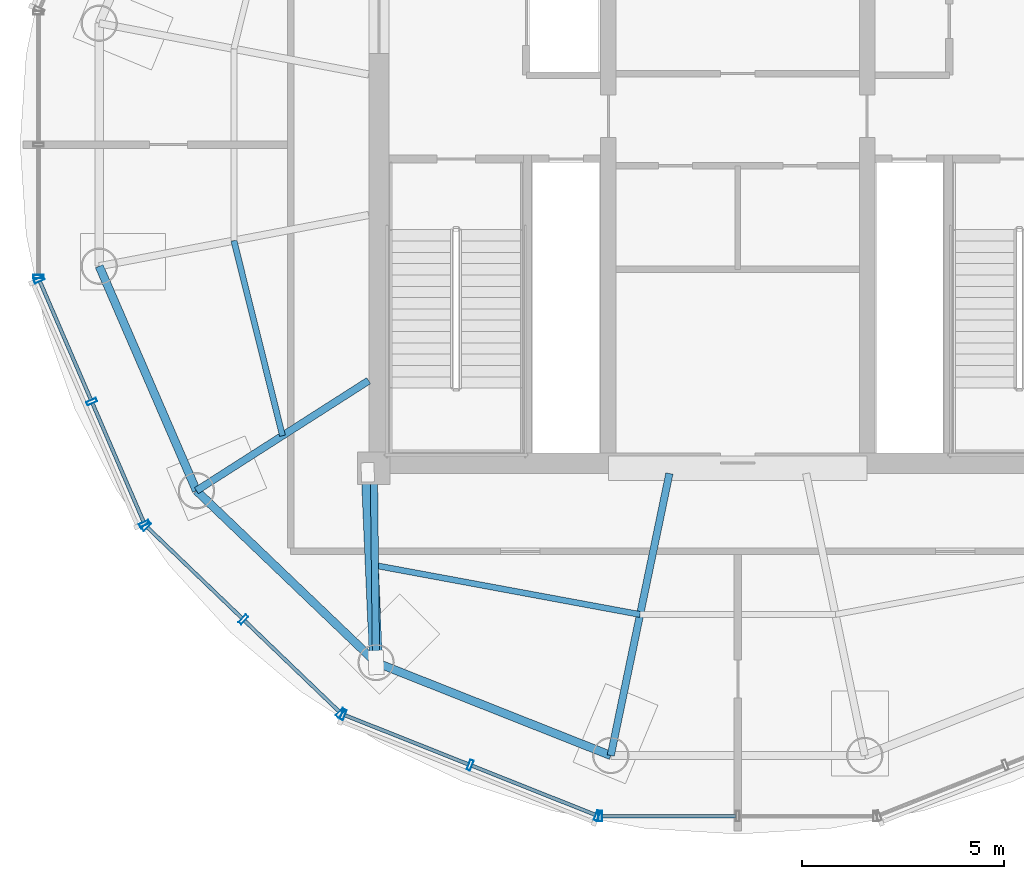
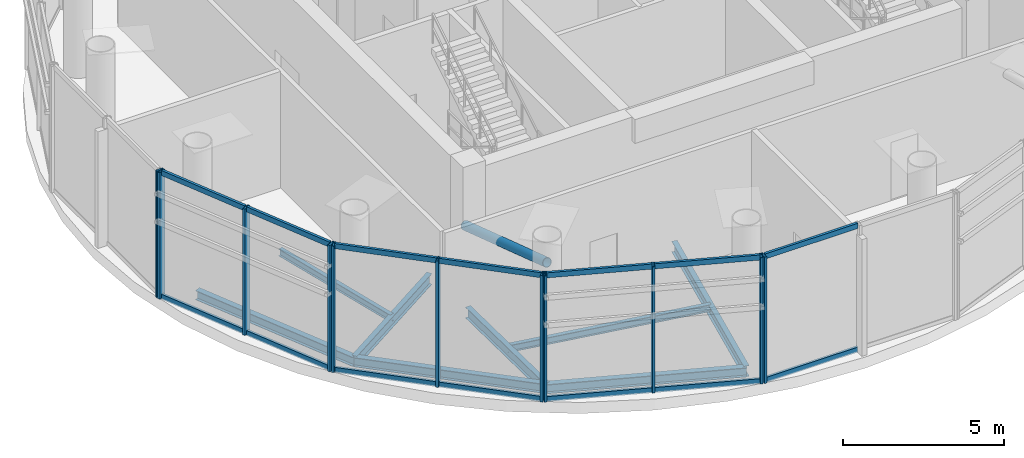
# One storey, part 2 of 15: 26 members, 8 beams, 5 elements without a shape of their own.
"""IFC4 building model written with IfcOpenShell, lengths in metres."""

from ifc_helpers import new_model, si_unit, direction, frame, origin, origin_2d, place, context, subcontext, project, spatial, hollow_rectangle, hollow_circle, i_section, extrude, source, transform, mapped, material, material_profile, profile_set, type_object, element, aggregate, save


model = new_model("IFC4")

# Units and contexts
model_context = context("Model", 3, precision=1e-05, world=origin(), true_north=direction((-0.2419218956, 0.970295726276)))
body_context = subcontext(model_context, "Body", "Model", "MODEL_VIEW")
ifc_project = project(units=[si_unit("LENGTHUNIT", "METRE"), si_unit("AREAUNIT", "SQUARE_METRE"), si_unit("VOLUMEUNIT", "CUBIC_METRE"), si_unit("PLANEANGLEUNIT", "RADIAN"), si_unit("MASSUNIT", "GRAM", prefix="KILO")], contexts=[model_context])

# Site, building, storey
site_placement = place(None, origin())
site = spatial("IfcSite", under=ifc_project, at=site_placement, CompositionType="ELEMENT")
building_placement = place(site_placement, origin())
building = spatial("IfcBuilding", under=site, at=building_placement, Name="Cobrevalo Terracotta Tower", CompositionType="ELEMENT")
storey_placement = place(building_placement, frame((0.0, 0.0, 316.5)))
storey = spatial("IfcBuildingStorey", under=building, at=storey_placement, Name="L82", CompositionType="ELEMENT", Elevation=316.5)

# Beams
ifc_material_1 = material(Name="Steel S355", Category="steel")
ifc_material_profile_1 = material_profile(ifc_material_1, i_section(OverallWidth=0.179931640625, OverallDepth=0.4130859375, WebThickness=0.009765625, FlangeThickness=0.01611328125, at=origin_2d()), Name="W 410x75")
ifc_profile_set_1 = profile_set([ifc_material_profile_1], Name="Steel S355")
beam_type_1 = type_object("IfcBeamType", Name="Structural Beam W 410x75 (Steel S355)", PredefinedType="BEAM", material=ifc_profile_set_1)
beam_1_placement = place(storey_placement, frame((24.61328125, 18.244140625, -0.62646484375), z_axis=(0.84260123768, 0.538537978476, 0.0), x_axis=(-0.538537978476, 0.84260123768, 0.0)))
element("IfcBeam", 1, at=beam_1_placement, inside=storey, type_object=beam_type_1, Name="L82 radial floor girder 10", PredefinedType="BEAM", context=body_context, shape_type="SweptSolid", body=[
    extrude(i_section(OverallWidth=0.179931640625, OverallDepth=0.4130859375, WebThickness=0.009765625, FlangeThickness=0.01611328125, at=origin_2d()), origin(), (0.0, 0.0, 1.0), 5.052001953125),
])
beam_2_placement = place(storey_placement, frame((29.055419921875, 13.995361328125, -0.62646484375), z_axis=(-0.01153378561, 0.999933483683, 0.0), x_axis=(-0.999933483683, -0.01153378561, 0.0)))
element("IfcBeam", 2, at=beam_2_placement, inside=storey, type_object=beam_type_1, Name="L82 radial floor girder 11", PredefinedType="BEAM", context=body_context, shape_type="SweptSolid", body=[
    extrude(i_section(OverallWidth=0.179931640625, OverallDepth=0.4130859375, WebThickness=0.009765625, FlangeThickness=0.01611328125, at=origin_2d()), origin(), (0.0, 0.0, 1.0), 4.804931640625),
])
beam_3_placement = place(storey_placement, frame((34.859130859375, 11.69580078125, -0.62646484375), z_axis=(0.203584701476, 0.979057337098, 0.0), x_axis=(-0.979057337098, 0.203584701476, 0.0)))
element("IfcBeam", 3, at=beam_3_placement, inside=storey, type_object=beam_type_1, Name="L82 radial floor girder 12", PredefinedType="BEAM", context=body_context, shape_type="SweptSolid", body=[
    extrude(i_section(OverallWidth=0.179931640625, OverallDepth=0.4130859375, WebThickness=0.009765625, FlangeThickness=0.01611328125, at=origin_2d()), origin(), (0.0, 0.0, 1.0), 7.123291015625),
])
ifc_material_profile_2 = material_profile(ifc_material_1, i_section(OverallWidth=0.14794921875, OverallDepth=0.26611328125, WebThickness=0.007568359375, FlangeThickness=0.012939453125, at=origin_2d()), Name="W 250x44.8")
ifc_profile_set_2 = profile_set([ifc_material_profile_2], Name="Steel S355")
beam_type_2 = type_object("IfcBeamType", Name="Structural Joist W 250x44.8 (Steel S355)", PredefinedType="JOIST", material=ifc_profile_set_2)
beam_4_placement = place(storey_placement, frame((25.539794921875, 24.42919921875, -0.552978515625), z_axis=(0.241726809757, -0.97034434581, 0.0), x_axis=(0.97034434581, 0.241726809757, 0.0)))
element("IfcBeam", 4, at=beam_4_placement, inside=storey, type_object=beam_type_2, Name="L82 circumferential secondary floor joist 09", PredefinedType="JOIST", context=body_context, shape_type="SweptSolid", body=[
    extrude(i_section(OverallWidth=0.14794921875, OverallDepth=0.26611328125, WebThickness=0.007568359375, FlangeThickness=0.012939453125, at=origin_2d()), origin(), (0.0, 0.0, 1.0), 4.97216796875),
])
beam_5_placement = place(storey_placement, frame((29.027587890625, 16.397705078125, -0.552978515625), z_axis=(0.983264519698, -0.182183655422, 0.0), x_axis=(0.182183655422, 0.983264519698, 0.0)))
element("IfcBeam", 5, at=beam_5_placement, inside=storey, type_object=beam_type_2, Name="L82 circumferential secondary floor joist 11", PredefinedType="JOIST", context=body_context, shape_type="SweptSolid", body=[
    extrude(i_section(OverallWidth=0.14794921875, OverallDepth=0.26611328125, WebThickness=0.007568359375, FlangeThickness=0.012939453125, at=origin_2d()), origin(), (0.0, 0.0, 1.0), 6.668212890625),
])
ifc_material_profile_3 = material_profile(ifc_material_1, i_section(OverallWidth=0.205078125, OverallDepth=0.35400390625, WebThickness=0.009521484375, FlangeThickness=0.016845703125, at=origin_2d()), Name="W 360x79")
ifc_profile_set_3 = profile_set([ifc_material_profile_3], Name="Steel S355")
beam_type_3 = type_object("IfcBeamType", Name="Structural Spandrel W 360x79 (Steel S355)", PredefinedType="SPANDREL", material=ifc_profile_set_3)
beam_6_placement = place(storey_placement, frame((22.20947265625, 23.795654296875, -0.596923828125), z_axis=(0.397350333227, -0.91766699444, 0.0), x_axis=(0.91766699444, 0.397350333227, 0.0)))
element("IfcBeam", 6, at=beam_6_placement, inside=storey, type_object=beam_type_3, Name="L82 perimeter ring spandrel 09", PredefinedType="SPANDREL", context=body_context, shape_type="SweptSolid", body=[
    extrude(i_section(OverallWidth=0.205078125, OverallDepth=0.35400390625, WebThickness=0.009521484375, FlangeThickness=0.016845703125, at=origin_2d()), origin(), (0.0, 0.0, 1.0), 6.049560546875),
])
beam_7_placement = place(storey_placement, frame((24.61328125, 18.244140625, -0.596923828125), z_axis=(0.722659970904, -0.691203708362, 0.0), x_axis=(0.691203708362, 0.722659970904, 0.0)))
element("IfcBeam", 7, at=beam_7_placement, inside=storey, type_object=beam_type_3, Name="L82 perimeter ring spandrel 10", PredefinedType="SPANDREL", context=body_context, shape_type="SweptSolid", body=[
    extrude(i_section(OverallWidth=0.205078125, OverallDepth=0.35400390625, WebThickness=0.009521484375, FlangeThickness=0.016845703125, at=origin_2d()), origin(), (0.0, 0.0, 1.0), 6.14697265625),
])
beam_8_placement = place(storey_placement, frame((29.055419921875, 13.995361328125, -0.596923828125), z_axis=(0.929682763959, -0.368361179275, 0.0), x_axis=(0.368361179275, 0.929682763959, 0.0)))
element("IfcBeam", 8, at=beam_8_placement, inside=storey, type_object=beam_type_3, Name="L82 perimeter ring spandrel 11", PredefinedType="SPANDREL", context=body_context, shape_type="SweptSolid", body=[
    extrude(i_section(OverallWidth=0.205078125, OverallDepth=0.35400390625, WebThickness=0.009521484375, FlangeThickness=0.016845703125, at=origin_2d()), origin(), (0.0, 0.0, 1.0), 6.24267578125),
])

# Member
ifc_material_profile_4 = material_profile(ifc_material_1, hollow_circle(Radius=0.162109375, WallThickness=0.013916015625, at=origin_2d()), Name="CHS 324x14")
ifc_profile_set_4 = profile_set([ifc_material_profile_4], Name="Steel S355")
member_type_1 = type_object("IfcMemberType", Name="Steel Brace CHS 324x14 (Steel S355)", PredefinedType="BRACE", material=ifc_profile_set_4)
shared_shape_1 = source(origin(), body_context, "Body", "SweptSolid", [
    extrude(hollow_circle(Radius=0.162109375, WallThickness=0.013916015625, at=origin_2d()), origin(), (0.0, 0.0, 1.0), 4.906982421875),
])
member_1_placement = place(storey_placement, frame((28.85009765625, 18.699951171875, 2.75), z_axis=(0.041842075868, -0.958735793071, 0.281202631159), x_axis=(0.999049003969, 0.043601464055, 0.0)))
element("IfcMember", 9, at=member_1_placement, inside=storey, type_object=member_type_1, Name="L82 CROWN FRAME radial brace 03", PredefinedType="BRACE", context=body_context, shape_type="MappedRepresentation", body=[
    mapped(shared_shape_1, transform((0.0, 0.0, 0.0), scale=1.0)),
])

# Curtain wall, members
ifc_material_2 = material(Name="Anodized aluminium", Category="aluminium")
curtain_wall_type = type_object("IfcCurtainWallType", Name="Faceted glass-point crown structural glazing system CW-CR", PredefinedType="NOTDEFINED", material=ifc_material_2)
curtain_wall_1_placement = place(storey_placement, origin())
curtain_wall_1 = element("IfcCurtainWall", 10, at=curtain_wall_1_placement, inside=storey, type_object=curtain_wall_type, Name="L82 curtain wall CW-CRN-L82-S09", PredefinedType="NOTDEFINED")
ifc_material_profile_5 = material_profile(ifc_material_2, hollow_rectangle(XDim=0.090087890625, YDim=0.195068359375, WallThickness=0.005615234375, at=origin_2d()), Name="CWT 90x195")
ifc_profile_set_5 = profile_set([ifc_material_profile_5], Name="Anodized aluminium")
member_type_2 = type_object("IfcMemberType", Name="Crown structural aluminium transom 90x195", PredefinedType="USERDEFINED", material=ifc_profile_set_5)
shared_shape_2 = source(origin(), body_context, "Body", "SweptSolid", [
    extrude(hollow_rectangle(XDim=0.090087890625, YDim=0.195068359375, WallThickness=0.005615234375, at=origin_2d()), origin(), (0.0, 0.0, 1.0), 3.203125),
])
member_2_placement = place(storey_placement, frame((20.740478515625, 23.423583984375, 0.050048828125), z_axis=(0.396043228921, -0.918231866592, 0.0), x_axis=(0.918231866592, 0.396043228921, 0.0)))
member_2 = element("IfcMember", 11, at=member_2_placement, type_object=member_type_2, Name="CW-CRN-L82-S09 transom B01-T1", ObjectType="TRANSOM", PredefinedType="USERDEFINED", context=body_context, shape_type="MappedRepresentation", body=[
    mapped(shared_shape_2, transform((0.0, 0.0, 0.0), scale=1.0)),
])
member_3_placement = place(storey_placement, frame((20.740478515625, 23.423583984375, 4.72998046875), z_axis=(0.396043228921, -0.918231866592, 0.0), x_axis=(0.918231866592, 0.396043228921, 0.0)))
member_3 = element("IfcMember", 12, at=member_3_placement, type_object=member_type_2, Name="CW-CRN-L82-S09 transom B01-T2", ObjectType="TRANSOM", PredefinedType="USERDEFINED", context=body_context, shape_type="MappedRepresentation", body=[
    mapped(shared_shape_2, transform((0.0, 0.0, 0.0), scale=1.0)),
])
member_4_placement = place(storey_placement, frame((22.040771484375, 20.408935546875, 0.050048828125), z_axis=(0.396107491553, -0.918204146765, 0.0), x_axis=(0.918204146765, 0.396107491553, 0.0)))
member_4 = element("IfcMember", 13, at=member_4_placement, type_object=member_type_2, Name="CW-CRN-L82-S09 transom B02-T1", ObjectType="TRANSOM", PredefinedType="USERDEFINED", context=body_context, shape_type="MappedRepresentation", body=[
    mapped(shared_shape_2, transform((0.0, 0.0, 0.0), scale=1.0)),
])
member_5_placement = place(storey_placement, frame((22.040771484375, 20.408935546875, 4.72998046875), z_axis=(0.396107491553, -0.918204146765, 0.0), x_axis=(0.918204146765, 0.396107491553, 0.0)))
member_5 = element("IfcMember", 14, at=member_5_placement, type_object=member_type_2, Name="CW-CRN-L82-S09 transom B02-T2", ObjectType="TRANSOM", PredefinedType="USERDEFINED", context=body_context, shape_type="MappedRepresentation", body=[
    mapped(shared_shape_2, transform((0.0, 0.0, 0.0), scale=1.0)),
])

curtain_wall_2_placement = place(storey_placement, origin())
curtain_wall_2 = element("IfcCurtainWall", 15, at=curtain_wall_2_placement, inside=storey, type_object=curtain_wall_type, Name="L82 curtain wall CW-CRN-L82-S10", PredefinedType="NOTDEFINED")
shared_shape_3 = source(origin(), body_context, "Body", "SweptSolid", [
    extrude(hollow_rectangle(XDim=0.090087890625, YDim=0.195068359375, WallThickness=0.005615234375, at=origin_2d()), origin(), (0.0, 0.0, 1.0), 3.251953125),
])
member_6_placement = place(storey_placement, frame((23.39892578125, 17.3388671875, 0.050048828125), z_axis=(0.721264285966, -0.692659966932, 0.0), x_axis=(0.692659966932, 0.721264285966, 0.0)))
member_6 = element("IfcMember", 16, at=member_6_placement, type_object=member_type_2, Name="CW-CRN-L82-S10 transom B01-T1", ObjectType="TRANSOM", PredefinedType="USERDEFINED", context=body_context, shape_type="MappedRepresentation", body=[
    mapped(shared_shape_3, transform((0.0, 0.0, 0.0), scale=1.0)),
])
member_7_placement = place(storey_placement, frame((23.39892578125, 17.3388671875, 4.72998046875), z_axis=(0.721264285966, -0.692659966932, 0.0), x_axis=(0.692659966932, 0.721264285966, 0.0)))
member_7 = element("IfcMember", 17, at=member_7_placement, type_object=member_type_2, Name="CW-CRN-L82-S10 transom B01-T2", ObjectType="TRANSOM", PredefinedType="USERDEFINED", context=body_context, shape_type="MappedRepresentation", body=[
    mapped(shared_shape_3, transform((0.0, 0.0, 0.0), scale=1.0)),
])
member_8_placement = place(storey_placement, frame((25.802001953125, 15.031005859375, 0.050048828125), z_axis=(0.721300303297, -0.692622460265, 0.0), x_axis=(0.692622460265, 0.721300303297, 0.0)))
member_8 = element("IfcMember", 18, at=member_8_placement, type_object=member_type_2, Name="CW-CRN-L82-S10 transom B02-T1", ObjectType="TRANSOM", PredefinedType="USERDEFINED", context=body_context, shape_type="MappedRepresentation", body=[
    mapped(shared_shape_3, transform((0.0, 0.0, 0.0), scale=1.0)),
])
member_9_placement = place(storey_placement, frame((25.802001953125, 15.031005859375, 4.72998046875), z_axis=(0.721300303297, -0.692622460265, 0.0), x_axis=(0.692622460265, 0.721300303297, 0.0)))
member_9 = element("IfcMember", 19, at=member_9_placement, type_object=member_type_2, Name="CW-CRN-L82-S10 transom B02-T2", ObjectType="TRANSOM", PredefinedType="USERDEFINED", context=body_context, shape_type="MappedRepresentation", body=[
    mapped(shared_shape_3, transform((0.0, 0.0, 0.0), scale=1.0)),
])

curtain_wall_3_placement = place(storey_placement, origin())
curtain_wall_3 = element("IfcCurtainWall", 20, at=curtain_wall_3_placement, inside=storey, type_object=curtain_wall_type, Name="L82 curtain wall CW-CRN-L82-S11", PredefinedType="NOTDEFINED")
shared_shape_4 = source(origin(), body_context, "Body", "SweptSolid", [
    extrude(hollow_rectangle(XDim=0.090087890625, YDim=0.195068359375, WallThickness=0.005615234375, at=origin_2d()), origin(), (0.0, 0.0, 1.0), 3.2998046875),
])
member_10_placement = place(storey_placement, frame((28.279541015625, 12.693603515625, 0.050048828125), z_axis=(0.929204565262, -0.369565793732, 0.0), x_axis=(0.369565793732, 0.929204565262, 0.0)))
member_10 = element("IfcMember", 21, at=member_10_placement, type_object=member_type_2, Name="CW-CRN-L82-S11 transom B01-T1", ObjectType="TRANSOM", PredefinedType="USERDEFINED", context=body_context, shape_type="MappedRepresentation", body=[
    mapped(shared_shape_4, transform((0.0, 0.0, 0.0), scale=1.0)),
])
member_11_placement = place(storey_placement, frame((28.279541015625, 12.693603515625, 4.72998046875), z_axis=(0.929204565262, -0.369565793732, 0.0), x_axis=(0.369565793732, 0.929204565262, 0.0)))
member_11 = element("IfcMember", 22, at=member_11_placement, type_object=member_type_2, Name="CW-CRN-L82-S11 transom B01-T2", ObjectType="TRANSOM", PredefinedType="USERDEFINED", context=body_context, shape_type="MappedRepresentation", body=[
    mapped(shared_shape_4, transform((0.0, 0.0, 0.0), scale=1.0)),
])
member_12_placement = place(storey_placement, frame((31.420166015625, 11.444580078125, 0.050048828125), z_axis=(0.92917915641, -0.369629673177, 0.0), x_axis=(0.369629673177, 0.92917915641, 0.0)))
member_12 = element("IfcMember", 23, at=member_12_placement, type_object=member_type_2, Name="CW-CRN-L82-S11 transom B02-T1", ObjectType="TRANSOM", PredefinedType="USERDEFINED", context=body_context, shape_type="MappedRepresentation", body=[
    mapped(shared_shape_4, transform((0.0, 0.0, 0.0), scale=1.0)),
])
member_13_placement = place(storey_placement, frame((31.420166015625, 11.444580078125, 4.72998046875), z_axis=(0.92917915641, -0.369629673177, 0.0), x_axis=(0.369629673177, 0.92917915641, 0.0)))
member_13 = element("IfcMember", 24, at=member_13_placement, type_object=member_type_2, Name="CW-CRN-L82-S11 transom B02-T2", ObjectType="TRANSOM", PredefinedType="USERDEFINED", context=body_context, shape_type="MappedRepresentation", body=[
    mapped(shared_shape_4, transform((0.0, 0.0, 0.0), scale=1.0)),
])

curtain_wall_4_placement = place(storey_placement, origin())
curtain_wall_4 = element("IfcCurtainWall", 25, at=curtain_wall_4_placement, inside=storey, type_object=curtain_wall_type, Name="L82 curtain wall CW-CRN-L82-S12", PredefinedType="NOTDEFINED")
shared_shape_5 = source(origin(), body_context, "Body", "SweptSolid", [
    extrude(hollow_rectangle(XDim=0.090087890625, YDim=0.195068359375, WallThickness=0.005615234375, at=origin_2d()), origin(), (0.0, 0.0, 1.0), 3.3193359375),
])
member_14_placement = place(storey_placement, frame((34.640625, 10.1953125, 0.050048828125), z_axis=(1.0, 0.0, 0.0), x_axis=(0.0, 1.0, 0.0)))
member_14 = element("IfcMember", 26, at=member_14_placement, type_object=member_type_2, Name="CW-CRN-L82-S12 transom B01-T1", ObjectType="TRANSOM", PredefinedType="USERDEFINED", context=body_context, shape_type="MappedRepresentation", body=[
    mapped(shared_shape_5, transform((0.0, 0.0, 0.0), scale=1.0)),
])
member_15_placement = place(storey_placement, frame((34.640625, 10.1953125, 4.72998046875), z_axis=(1.0, 0.0, 0.0), x_axis=(0.0, 1.0, 0.0)))
member_15 = element("IfcMember", 27, at=member_15_placement, type_object=member_type_2, Name="CW-CRN-L82-S12 transom B01-T2", ObjectType="TRANSOM", PredefinedType="USERDEFINED", context=body_context, shape_type="MappedRepresentation", body=[
    mapped(shared_shape_5, transform((0.0, 0.0, 0.0), scale=1.0)),
])

# Curtain wall, member
curtain_wall_5_placement = place(storey_placement, origin())
curtain_wall_5 = element("IfcCurtainWall", 28, at=curtain_wall_5_placement, inside=storey, type_object=curtain_wall_type, Name="L82 curtain wall CW-CRN-L82-S08", PredefinedType="NOTDEFINED")
ifc_material_profile_6 = material_profile(ifc_material_2, hollow_rectangle(XDim=0.090087890625, YDim=0.260009765625, WallThickness=0.006103515625, at=origin_2d()), Name="CWM 90x260")
ifc_profile_set_6 = profile_set([ifc_material_profile_6], Name="Anodized aluminium")
member_type_3 = type_object("IfcMemberType", Name="Crown structural glass mullion 90x260", PredefinedType="MULLION", material=ifc_profile_set_6)
shared_shape_6 = source(origin(), body_context, "Body", "SweptSolid", [
    extrude(hollow_rectangle(XDim=0.090087890625, YDim=0.260009765625, WallThickness=0.006103515625, at=origin_2d()), origin(), (0.0, 0.0, 1.0), 4.780029296875),
])
member_16_placement = place(storey_placement, frame((20.708740234375, 23.537109375, 0.0), z_axis=(0.0, 0.0, 1.0), x_axis=(0.0, -1.0, 0.0)))
member_16 = element("IfcMember", 29, at=member_16_placement, type_object=member_type_3, Name="CW-CRN-L82-S08 vertical mullion 03", PredefinedType="MULLION", context=body_context, shape_type="MappedRepresentation", body=[
    mapped(shared_shape_6, transform((0.0, 0.0, 0.0), scale=1.0)),
])
aggregate(curtain_wall_5, [member_16])

# Member
member_17_placement = place(storey_placement, frame((20.724609375, 23.46044921875, 0.0), z_axis=(0.0, 0.0, 1.0), x_axis=(0.396058398073, -0.918225323826, 0.0)))
member_17 = element("IfcMember", 30, at=member_17_placement, type_object=member_type_3, Name="CW-CRN-L82-S09 vertical mullion 01", PredefinedType="MULLION", context=body_context, shape_type="MappedRepresentation", body=[
    mapped(shared_shape_6, transform((0.0, 0.0, 0.0), scale=1.0)),
])

member_18_placement = place(storey_placement, frame((22.02490234375, 20.445556640625, 0.0), z_axis=(0.0, 0.0, 1.0), x_axis=(0.396058398073, -0.918225323826, 0.0)))
member_18 = element("IfcMember", 31, at=member_18_placement, type_object=member_type_3, Name="CW-CRN-L82-S09 vertical mullion 02", PredefinedType="MULLION", context=body_context, shape_type="MappedRepresentation", body=[
    mapped(shared_shape_6, transform((0.0, 0.0, 0.0), scale=1.0)),
])

member_19_placement = place(storey_placement, frame((23.325439453125, 17.430908203125, 0.0), z_axis=(0.0, 0.0, 1.0), x_axis=(0.396058398073, -0.918225323826, 0.0)))
member_19 = element("IfcMember", 32, at=member_19_placement, type_object=member_type_3, Name="CW-CRN-L82-S09 vertical mullion 03", PredefinedType="MULLION", context=body_context, shape_type="MappedRepresentation", body=[
    mapped(shared_shape_6, transform((0.0, 0.0, 0.0), scale=1.0)),
])

aggregate(curtain_wall_1, [member_17, member_18, member_19, member_2, member_3, member_4, member_5])

member_20_placement = place(storey_placement, frame((23.3701171875, 17.366455078125, 0.0), z_axis=(0.0, 0.0, 1.0), x_axis=(0.721276845158, -0.692646888854, 0.0)))
member_20 = element("IfcMember", 33, at=member_20_placement, type_object=member_type_3, Name="CW-CRN-L82-S10 vertical mullion 01", PredefinedType="MULLION", context=body_context, shape_type="MappedRepresentation", body=[
    mapped(shared_shape_6, transform((0.0, 0.0, 0.0), scale=1.0)),
])

member_21_placement = place(storey_placement, frame((25.773193359375, 15.05859375, 0.0), z_axis=(0.0, 0.0, 1.0), x_axis=(0.721276845158, -0.692646888854, 0.0)))
member_21 = element("IfcMember", 34, at=member_21_placement, type_object=member_type_3, Name="CW-CRN-L82-S10 vertical mullion 02", PredefinedType="MULLION", context=body_context, shape_type="MappedRepresentation", body=[
    mapped(shared_shape_6, transform((0.0, 0.0, 0.0), scale=1.0)),
])

member_22_placement = place(storey_placement, frame((28.176513671875, 12.7509765625, 0.0), z_axis=(0.0, 0.0, 1.0), x_axis=(0.721276845158, -0.692646888854, 0.0)))
member_22 = element("IfcMember", 35, at=member_22_placement, type_object=member_type_3, Name="CW-CRN-L82-S10 vertical mullion 03", PredefinedType="MULLION", context=body_context, shape_type="MappedRepresentation", body=[
    mapped(shared_shape_6, transform((0.0, 0.0, 0.0), scale=1.0)),
])

aggregate(curtain_wall_2, [member_20, member_21, member_22, member_6, member_7, member_8, member_9])

member_23_placement = place(storey_placement, frame((28.242431640625, 12.70849609375, 0.0), z_axis=(0.0, 0.0, 1.0), x_axis=(0.929190639756, -0.36960080491, 0.0)))
member_23 = element("IfcMember", 36, at=member_23_placement, type_object=member_type_3, Name="CW-CRN-L82-S11 vertical mullion 01", PredefinedType="MULLION", context=body_context, shape_type="MappedRepresentation", body=[
    mapped(shared_shape_6, transform((0.0, 0.0, 0.0), scale=1.0)),
])

member_24_placement = place(storey_placement, frame((31.3828125, 11.459228515625, 0.0), z_axis=(0.0, 0.0, 1.0), x_axis=(0.929190639756, -0.36960080491, 0.0)))
member_24 = element("IfcMember", 37, at=member_24_placement, type_object=member_type_3, Name="CW-CRN-L82-S11 vertical mullion 02", PredefinedType="MULLION", context=body_context, shape_type="MappedRepresentation", body=[
    mapped(shared_shape_6, transform((0.0, 0.0, 0.0), scale=1.0)),
])

member_25_placement = place(storey_placement, frame((34.5234375, 10.210205078125, 0.0), z_axis=(0.0, 0.0, 1.0), x_axis=(0.929190639756, -0.36960080491, 0.0)))
member_25 = element("IfcMember", 38, at=member_25_placement, type_object=member_type_3, Name="CW-CRN-L82-S11 vertical mullion 03", PredefinedType="MULLION", context=body_context, shape_type="MappedRepresentation", body=[
    mapped(shared_shape_6, transform((0.0, 0.0, 0.0), scale=1.0)),
])

aggregate(curtain_wall_3, [member_23, member_24, member_25, member_10, member_11, member_12, member_13])

member_26_placement = place(storey_placement, frame((34.6005859375, 10.1953125, 0.0), z_axis=(0.0, 0.0, 1.0), x_axis=(1.0, 0.0, 0.0)))
member_26 = element("IfcMember", 39, at=member_26_placement, type_object=member_type_3, Name="CW-CRN-L82-S12 vertical mullion 01", PredefinedType="MULLION", context=body_context, shape_type="MappedRepresentation", body=[
    mapped(shared_shape_6, transform((0.0, 0.0, 0.0), scale=1.0)),
])

aggregate(curtain_wall_4, [member_26, member_14, member_15])

save(model, "model.ifc")
